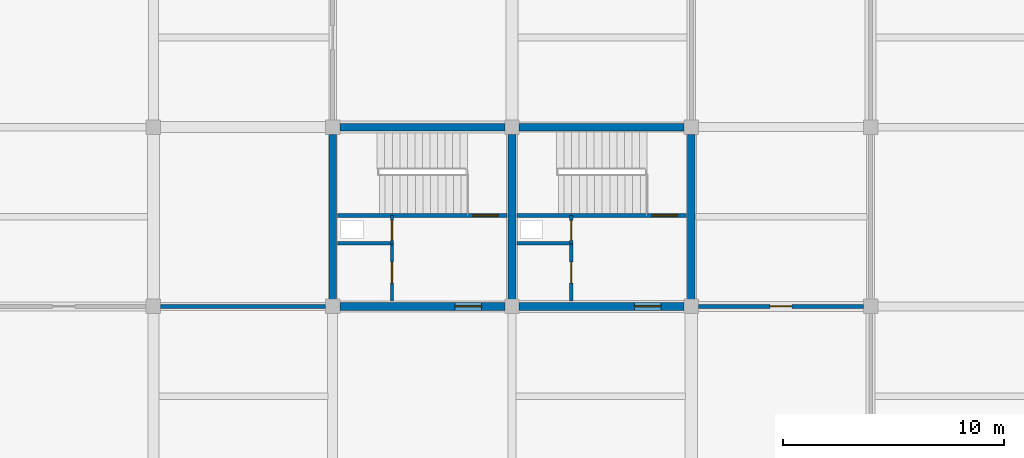
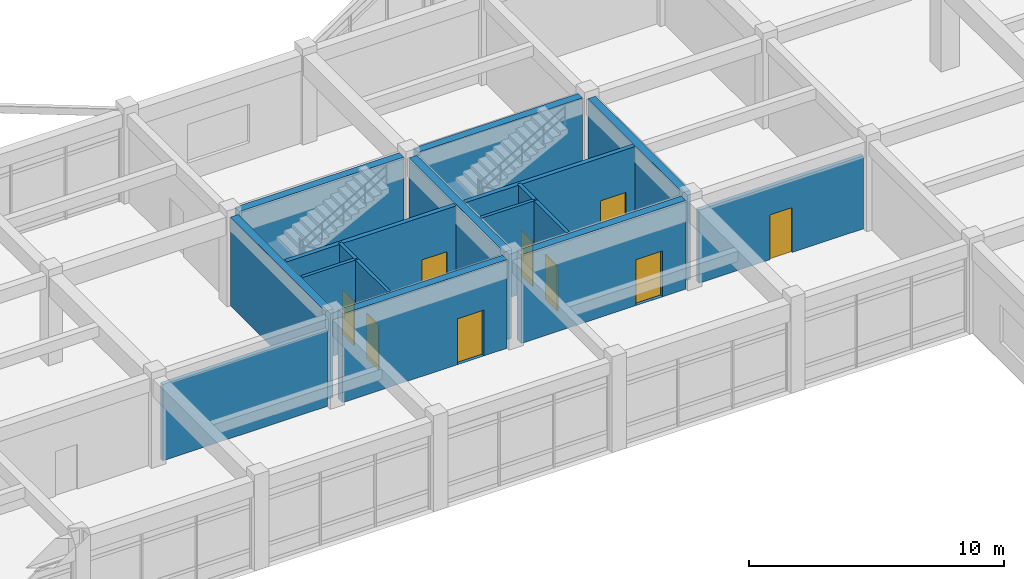
# One storey, part 68 of 93: 17 walls, 9 doors, 9 openings.
"""IFC4 building model written with IfcOpenShell, lengths in metres."""

from ifc_helpers import new_model, si_unit, direction, frame, frame_2d, origin, place, context, subcontext, project, spatial, rectangle, extrude, material, layer, layer_set, type_object, element, fill, save


model = new_model("IFC4")

# Units and contexts
model_context = context("Model", 3, precision=1e-05, world=origin(), true_north=direction((0.0, 1.0)))
body_context = subcontext(model_context, "Body", "Model", "MODEL_VIEW")
ifc_project = project(units=[si_unit("LENGTHUNIT", "METRE"), si_unit("AREAUNIT", "SQUARE_METRE"), si_unit("VOLUMEUNIT", "CUBIC_METRE"), si_unit("PLANEANGLEUNIT", "RADIAN"), si_unit("MASSUNIT", "GRAM", prefix="KILO")], contexts=[model_context])

# Site, building, storey
site_placement = place(None, origin())
site = spatial("IfcSite", under=ifc_project, at=site_placement, CompositionType="ELEMENT")
building_placement = place(site_placement, origin())
building = spatial("IfcBuilding", under=site, at=building_placement, Name="Vaudrelin Polytechnic", CompositionType="ELEMENT")
storey_placement = place(building_placement, frame((0.0, 0.0, 5.10009765625)))
storey = spatial("IfcBuildingStorey", under=building, at=storey_placement, Name="L01", CompositionType="ELEMENT", Elevation=5.10009765625)

# Wall
ifc_material_1 = material(Name="Acoustic double-stud gypsum & mineral-wool partition", Category="gypsum")
ifc_layer_1 = layer(ifc_material_1, 0.179931640625)
ifc_layer_set_1 = layer_set([ifc_layer_1], Name="Acoustic double-stud gypsum & mineral-wool partition")
wall_type_1 = type_object("IfcWallType", Name="WAL-PW-AC180", PredefinedType="PARTITIONING", material=ifc_layer_set_1)
wall_1_placement = place(storey_placement, frame((97.52294921875, 105.300048828125, 0.0), z_axis=(0.0, 0.0, 1.0), x_axis=(1.0, 0.0, 0.0)))
element("IfcWall", 1, at=wall_1_placement, inside=storey, type_object=wall_type_1, Name="Partition L01-019 S", PredefinedType="PARTITIONING", context=body_context, shape_type="SweptSolid", body=[
    extrude(rectangle(XDim=7.4541015625, YDim=0.179931640625, at=frame_2d((3.72705078125, 0.0))), origin(), (0.0, 0.0, 1.0), 3.65185546875),
])

# Wall, opening, door
wall_2_placement = place(storey_placement, frame((121.822998046875, 105.300048828125, 0.0), z_axis=(0.0, 0.0, 1.0), x_axis=(1.0, 0.0, 0.0)))
wall_2 = element("IfcWall", 2, at=wall_2_placement, inside=storey, type_object=wall_type_1, Name="Partition L01-020 S", PredefinedType="PARTITIONING", context=body_context, shape_type="SweptSolid", body=[
    extrude(rectangle(XDim=7.4541015625, YDim=0.179931640625, at=frame_2d((3.72705078125, 0.0))), origin(), (0.0, 0.0, 1.0), 3.501953125),
])
opening_1_placement = place(wall_2_placement, frame((3.22705078125, 0.0, 0.0)))
opening_1 = element("IfcOpeningElement", 3, at=opening_1_placement, cuts=wall_2, Name="Opening D-L01-456", PredefinedType="OPENING", context=body_context, shape_type="SweptSolid", body=[
    extrude(rectangle(XDim=1.0, YDim=2.14990234375, at=frame_2d((0.5, 1.074951171875))), frame((0.0, 0.10009765625, 0.0), z_axis=(0.0, -1.0, 0.0), x_axis=(1.0, 0.0, 0.0)), (0.0, 0.0, 1.0), 0.199951171875),
])
ifc_material_2 = material(Name="Solid-core birch veneer acoustic leaf", Category="wood")
door_type_1 = type_object("IfcDoorType", Name="DOR-ID-SEM1", OperationType="NOTDEFINED", PredefinedType="DOOR", material=ifc_material_2)
door_1_placement = place(opening_1_placement, origin())
door_1 = element("IfcDoor", 4, at=door_1_placement, inside=storey, type_object=door_type_1, Name="Seminar Room 104 door L01-020", OperationType="SINGLE_SWING_RIGHT", OverallHeight=2.14990234375, OverallWidth=1.0, PredefinedType="DOOR", context=body_context, shape_type="SweptSolid", body=[
    extrude(rectangle(XDim=1.0, YDim=2.14990234375, at=frame_2d((0.5, 1.074951171875))), frame((0.0, 0.02490234375, 0.0), z_axis=(0.0, -1.0, 0.0), x_axis=(1.0, 0.0, 0.0)), (0.0, 0.0, 1.0), 0.050048828125),
])
fill(opening_1, door_1)

ifc_material_3 = material(Name="Fire-rated steel-stud gypsum compartment wall", Category="steel")
ifc_layer_2 = layer(ifc_material_3, 0.14990234375)
ifc_layer_set_2 = layer_set([ifc_layer_2], Name="Fire-rated steel-stud gypsum compartment wall")
wall_type_2 = type_object("IfcWallType", Name="WAL-PW-FIRE60", PredefinedType="PARTITIONING", material=ifc_layer_set_2)
wall_3_placement = place(storey_placement, frame((116.080078125, 108.14990234375, 0.0), z_axis=(0.0, 0.0, 1.0), x_axis=(0.0, 1.0, 0.0)))
wall_3 = element("IfcWall", 5, at=wall_3_placement, inside=storey, type_object=wall_type_2, Name="Core C10 riser enclosure wall L01", PredefinedType="PARTITIONING", context=body_context, shape_type="SweptSolid", body=[
    extrude(rectangle(XDim=1.260009765625, YDim=0.14990234375, at=frame_2d((0.6298828125, 0.0))), origin(), (0.0, 0.0, 1.0), 4.251953125),
])
opening_2_placement = place(wall_3_placement, frame((0.139892578125, 0.0, 0.0)))
opening_2 = element("IfcOpeningElement", 6, at=opening_2_placement, cuts=wall_3, Name="Opening D-L01-214", PredefinedType="OPENING", context=body_context, shape_type="SweptSolid", body=[
    extrude(rectangle(XDim=0.89990234375, YDim=2.14990234375, at=frame_2d((0.449951171875, 1.074951171875))), frame((0.0, 0.0849609375, 0.0), z_axis=(0.0, -1.0, 0.0), x_axis=(1.0, 0.0, 0.0)), (0.0, 0.0, 1.0), 0.169921875),
])
ifc_material_4 = material(Name="Pressed galvanised steel acoustic leaf", Category="steel")
door_type_2 = type_object("IfcDoorType", Name="DOR-ID-RSR1", OperationType="NOTDEFINED", PredefinedType="DOOR", material=ifc_material_4)
door_2_placement = place(opening_2_placement, origin())
door_2 = element("IfcDoor", 7, at=door_2_placement, inside=storey, type_object=door_type_2, Name="Core C10 riser access door L01", OperationType="SINGLE_SWING_RIGHT", OverallHeight=2.14990234375, OverallWidth=0.89990234375, PredefinedType="DOOR", context=body_context, shape_type="SweptSolid", body=[
    extrude(rectangle(XDim=0.89990234375, YDim=2.14990234375, at=frame_2d((0.449951171875, 1.074951171875))), frame((0.0, 0.02490234375, 0.0), z_axis=(0.0, -1.0, 0.0), x_axis=(1.0, 0.0, 0.0)), (0.0, 0.0, 1.0), 0.050048828125),
])
fill(opening_2, door_2)

# Wall
wall_4_placement = place(storey_placement, frame((113.6201171875, 108.14990234375, 0.0), z_axis=(0.0, 0.0, 1.0), x_axis=(1.0, 0.0, 0.0)))
element("IfcWall", 8, at=wall_4_placement, inside=storey, type_object=wall_type_2, Name="Core C10 riser south fire wall L01", PredefinedType="PARTITIONING", context=body_context, shape_type="SweptSolid", body=[
    extrude(rectangle(XDim=2.52978515625, YDim=0.14990234375, at=frame_2d((1.264892578125, 0.0))), origin(), (0.0, 0.0, 1.0), 4.251953125),
])

# Wall, opening, door
wall_5_placement = place(storey_placement, frame((116.080078125, 105.550048828125, 0.0), z_axis=(0.0, 0.0, 1.0), x_axis=(0.0, 1.0, 0.0)))
wall_5 = element("IfcWall", 9, at=wall_5_placement, inside=storey, type_object=wall_type_2, Name="Core C10 custodial enclosure wall L01", PredefinedType="PARTITIONING", context=body_context, shape_type="SweptSolid", body=[
    extrude(rectangle(XDim=2.599853515625, YDim=0.14990234375, at=frame_2d((1.2998046875, 0.0))), origin(), (0.0, 0.0, 1.0), 4.251953125),
])
opening_3_placement = place(wall_5_placement, frame((0.800048828125, 0.0, 0.0)))
opening_3 = element("IfcOpeningElement", 10, at=opening_3_placement, cuts=wall_5, Name="Opening D-L01-215", PredefinedType="OPENING", context=body_context, shape_type="SweptSolid", body=[
    extrude(rectangle(XDim=0.949951171875, YDim=2.14990234375, at=frame_2d((0.47509765625, 1.074951171875))), frame((0.0, 0.0849609375, 0.0), z_axis=(0.0, -1.0, 0.0), x_axis=(1.0, 0.0, 0.0)), (0.0, 0.0, 1.0), 0.169921875),
])
door_type_3 = type_object("IfcDoorType", Name="DOR-ID-STR1", OperationType="NOTDEFINED", PredefinedType="DOOR", material=ifc_material_4)
door_3_placement = place(opening_3_placement, origin())
door_3 = element("IfcDoor", 11, at=door_3_placement, inside=storey, type_object=door_type_3, Name="Core C10 custodial door L01", OperationType="SINGLE_SWING_RIGHT", OverallHeight=2.14990234375, OverallWidth=0.949951171875, PredefinedType="DOOR", context=body_context, shape_type="SweptSolid", body=[
    extrude(rectangle(XDim=0.949951171875, YDim=2.14990234375, at=frame_2d((0.47509765625, 1.074951171875))), frame((0.0, 0.02490234375, 0.0), z_axis=(0.0, -1.0, 0.0), x_axis=(1.0, 0.0, 0.0)), (0.0, 0.0, 1.0), 0.050048828125),
])
fill(opening_3, door_3)

wall_6_placement = place(storey_placement, frame((107.97998046875, 108.14990234375, 0.0), z_axis=(0.0, 0.0, 1.0), x_axis=(0.0, 1.0, 0.0)))
wall_6 = element("IfcWall", 12, at=wall_6_placement, inside=storey, type_object=wall_type_2, Name="Core C11 riser enclosure wall L01", PredefinedType="PARTITIONING", context=body_context, shape_type="SweptSolid", body=[
    extrude(rectangle(XDim=1.260009765625, YDim=0.14990234375, at=frame_2d((0.6298828125, 0.0))), origin(), (0.0, 0.0, 1.0), 4.251953125),
])
opening_4_placement = place(wall_6_placement, frame((0.139892578125, 0.0, 0.0)))
opening_4 = element("IfcOpeningElement", 13, at=opening_4_placement, cuts=wall_6, Name="Opening D-L01-243", PredefinedType="OPENING", context=body_context, shape_type="SweptSolid", body=[
    extrude(rectangle(XDim=0.89990234375, YDim=2.14990234375, at=frame_2d((0.449951171875, 1.074951171875))), frame((0.0, 0.0849609375, 0.0), z_axis=(0.0, -1.0, 0.0), x_axis=(1.0, 0.0, 0.0)), (0.0, 0.0, 1.0), 0.169921875),
])
door_4_placement = place(opening_4_placement, origin())
door_4 = element("IfcDoor", 14, at=door_4_placement, inside=storey, type_object=door_type_2, Name="Core C11 riser access door L01", OperationType="SINGLE_SWING_RIGHT", OverallHeight=2.14990234375, OverallWidth=0.89990234375, PredefinedType="DOOR", context=body_context, shape_type="SweptSolid", body=[
    extrude(rectangle(XDim=0.89990234375, YDim=2.14990234375, at=frame_2d((0.449951171875, 1.074951171875))), frame((0.0, 0.02490234375, 0.0), z_axis=(0.0, -1.0, 0.0), x_axis=(1.0, 0.0, 0.0)), (0.0, 0.0, 1.0), 0.050048828125),
])
fill(opening_4, door_4)

# Wall
wall_7_placement = place(storey_placement, frame((105.52001953125, 108.14990234375, 0.0), z_axis=(0.0, 0.0, 1.0), x_axis=(1.0, 0.0, 0.0)))
element("IfcWall", 15, at=wall_7_placement, inside=storey, type_object=wall_type_2, Name="Core C11 riser south fire wall L01", PredefinedType="PARTITIONING", context=body_context, shape_type="SweptSolid", body=[
    extrude(rectangle(XDim=2.530029296875, YDim=0.14990234375, at=frame_2d((1.26513671875, 0.0))), origin(), (0.0, 0.0, 1.0), 4.251953125),
])

# Wall, opening, door
wall_8_placement = place(storey_placement, frame((107.97998046875, 105.550048828125, 0.0), z_axis=(0.0, 0.0, 1.0), x_axis=(0.0, 1.0, 0.0)))
wall_8 = element("IfcWall", 16, at=wall_8_placement, inside=storey, type_object=wall_type_2, Name="Core C11 custodial enclosure wall L01", PredefinedType="PARTITIONING", context=body_context, shape_type="SweptSolid", body=[
    extrude(rectangle(XDim=2.599853515625, YDim=0.14990234375, at=frame_2d((1.2998046875, 0.0))), origin(), (0.0, 0.0, 1.0), 4.251953125),
])
opening_5_placement = place(wall_8_placement, frame((0.800048828125, 0.0, 0.0)))
opening_5 = element("IfcOpeningElement", 17, at=opening_5_placement, cuts=wall_8, Name="Opening D-L01-244", PredefinedType="OPENING", context=body_context, shape_type="SweptSolid", body=[
    extrude(rectangle(XDim=0.949951171875, YDim=2.14990234375, at=frame_2d((0.47509765625, 1.074951171875))), frame((0.0, 0.0849609375, 0.0), z_axis=(0.0, -1.0, 0.0), x_axis=(1.0, 0.0, 0.0)), (0.0, 0.0, 1.0), 0.169921875),
])
door_5_placement = place(opening_5_placement, origin())
door_5 = element("IfcDoor", 18, at=door_5_placement, inside=storey, type_object=door_type_3, Name="Core C11 custodial door L01", OperationType="SINGLE_SWING_RIGHT", OverallHeight=2.14990234375, OverallWidth=0.949951171875, PredefinedType="DOOR", context=body_context, shape_type="SweptSolid", body=[
    extrude(rectangle(XDim=0.949951171875, YDim=2.14990234375, at=frame_2d((0.47509765625, 1.074951171875))), frame((0.0, 0.02490234375, 0.0), z_axis=(0.0, -1.0, 0.0), x_axis=(1.0, 0.0, 0.0)), (0.0, 0.0, 1.0), 0.050048828125),
])
fill(opening_5, door_5)

ifc_material_5 = material(Name="Concrete 40 MPa", Category="concrete")
ifc_layer_3 = layer(ifc_material_5, 0.199951171875)
ifc_layer_set_3 = layer_set([ifc_layer_3], Name="Concrete 40 MPa")
wall_type_3 = type_object("IfcWallType", Name="WAL-SW-CORE200", PredefinedType="SHEAR", material=ifc_layer_set_3)
wall_9_placement = place(storey_placement, frame((113.6201171875, 109.409912109375, 0.0), z_axis=(0.0, 0.0, 1.0), x_axis=(1.0, 0.0, 0.0)))
wall_9 = element("IfcWall", 19, at=wall_9_placement, inside=storey, type_object=wall_type_3, Name="Core C10 stair enclosure wall L01", PredefinedType="SHEAR", context=body_context, shape_type="SweptSolid", body=[
    extrude(rectangle(XDim=7.659912109375, YDim=0.199951171875, at=frame_2d((3.830078125, 0.0))), origin(), (0.0, 0.0, 1.0), 4.251953125),
])
opening_6_placement = place(wall_9_placement, frame((6.110107421875, 0.0, 0.0)))
opening_6 = element("IfcOpeningElement", 20, at=opening_6_placement, cuts=wall_9, Name="Opening D-L01-213", PredefinedType="OPENING", context=body_context, shape_type="SweptSolid", body=[
    extrude(rectangle(XDim=1.14990234375, YDim=2.199951171875, at=frame_2d((0.574951171875, 1.10009765625))), frame((0.0, 0.10986328125, 0.0), z_axis=(0.0, -1.0, 0.0), x_axis=(1.0, 0.0, 0.0)), (0.0, 0.0, 1.0), 0.219970703125),
])
door_type_4 = type_object("IfcDoorType", Name="DOR-ID-ST1", OperationType="NOTDEFINED", PredefinedType="DOOR", material=ifc_material_4)
door_6_placement = place(opening_6_placement, origin())
door_6 = element("IfcDoor", 21, at=door_6_placement, inside=storey, type_object=door_type_4, Name="Core C10 exit stair door L01", OperationType="SINGLE_SWING_LEFT", OverallHeight=2.199951171875, OverallWidth=1.14990234375, PredefinedType="DOOR", context=body_context, shape_type="SweptSolid", body=[
    extrude(rectangle(XDim=1.14990234375, YDim=2.199951171875, at=frame_2d((0.574951171875, 1.10009765625))), frame((0.0, 0.02490234375, 0.0), z_axis=(0.0, -1.0, 0.0), x_axis=(1.0, 0.0, 0.0)), (0.0, 0.0, 1.0), 0.050048828125),
])
fill(opening_6, door_6)

wall_10_placement = place(storey_placement, frame((105.52001953125, 109.409912109375, 0.0), z_axis=(0.0, 0.0, 1.0), x_axis=(1.0, 0.0, 0.0)))
wall_10 = element("IfcWall", 22, at=wall_10_placement, inside=storey, type_object=wall_type_3, Name="Core C11 stair enclosure wall L01", PredefinedType="SHEAR", context=body_context, shape_type="SweptSolid", body=[
    extrude(rectangle(XDim=7.659912109375, YDim=0.199951171875, at=frame_2d((3.830078125, 0.0))), origin(), (0.0, 0.0, 1.0), 4.251953125),
])
opening_7_placement = place(wall_10_placement, frame((6.110107421875, 0.0, 0.0)))
opening_7 = element("IfcOpeningElement", 23, at=opening_7_placement, cuts=wall_10, Name="Opening D-L01-242", PredefinedType="OPENING", context=body_context, shape_type="SweptSolid", body=[
    extrude(rectangle(XDim=1.14990234375, YDim=2.199951171875, at=frame_2d((0.574951171875, 1.10009765625))), frame((0.0, 0.10986328125, 0.0), z_axis=(0.0, -1.0, 0.0), x_axis=(1.0, 0.0, 0.0)), (0.0, 0.0, 1.0), 0.219970703125),
])
door_7_placement = place(opening_7_placement, origin())
door_7 = element("IfcDoor", 24, at=door_7_placement, inside=storey, type_object=door_type_4, Name="Core C11 exit stair door L01", OperationType="SINGLE_SWING_LEFT", OverallHeight=2.199951171875, OverallWidth=1.14990234375, PredefinedType="DOOR", context=body_context, shape_type="SweptSolid", body=[
    extrude(rectangle(XDim=1.14990234375, YDim=2.199951171875, at=frame_2d((0.574951171875, 1.10009765625))), frame((0.0, 0.02490234375, 0.0), z_axis=(0.0, -1.0, 0.0), x_axis=(1.0, 0.0, 0.0)), (0.0, 0.0, 1.0), 0.050048828125),
])
fill(opening_7, door_7)

# Walls
ifc_material_6 = material(Name="Concrete 50 MPa", Category="concrete")
ifc_layer_4 = layer(ifc_material_6, 0.35009765625)
ifc_layer_set_4 = layer_set([ifc_layer_4], Name="Concrete 50 MPa")
wall_type_4 = type_object("IfcWallType", Name="WAL-SW-CORE350", PredefinedType="SHEAR", material=ifc_layer_set_4)
wall_11_placement = place(storey_placement, frame((113.722900390625, 113.39990234375, 0.0), z_axis=(0.0, 0.0, 1.0), x_axis=(1.0, 0.0, 0.0)))
element("IfcWall", 25, at=wall_11_placement, inside=storey, type_object=wall_type_4, Name="Core C10 N shear wall L01", PredefinedType="SHEAR", context=body_context, shape_type="SweptSolid", body=[
    extrude(rectangle(XDim=7.4541015625, YDim=0.35009765625, at=frame_2d((3.72705078125, 0.0))), origin(), (0.0, 0.0, 1.0), 4.251953125),
])
for number, where, z_axis, x_axis, name in (
    (26, (113.39990234375, 105.623046875, 0.0), (0.0, 0.0, 1.0), (0.0, 1.0, 0.0), "Core C10 W shear wall L01"),
    (27, (121.5, 105.623046875, 0.0), (0.0, 0.0, 1.0), (0.0, 1.0, 0.0), "Core C10 E shear wall L01"),
):
    element("IfcWall", number, at=place(storey_placement, frame(where, z_axis=z_axis, x_axis=x_axis)), inside=storey, type_object=wall_type_4, Name=name, PredefinedType="SHEAR", context=body_context, shape_type="SweptSolid", body=[
        extrude(rectangle(XDim=7.453857421875, YDim=0.35009765625, at=frame_2d((3.72705078125, 0.0))), origin(), (0.0, 0.0, 1.0), 4.251953125),
    ])

# Wall, opening, door
wall_12_placement = place(storey_placement, frame((113.722900390625, 105.300048828125, 0.0), z_axis=(0.0, 0.0, 1.0), x_axis=(1.0, 0.0, 0.0)))
wall_12 = element("IfcWall", 28, at=wall_12_placement, inside=storey, type_object=wall_type_4, Name="Core C10 S shear wall L01", PredefinedType="SHEAR", context=body_context, shape_type="SweptSolid", body=[
    extrude(rectangle(XDim=7.4541015625, YDim=0.35009765625, at=frame_2d((3.72705078125, 0.0))), origin(), (0.0, 0.0, 1.0), 4.251953125),
])
opening_8_placement = place(wall_12_placement, frame((5.2041015625, 0.0, 0.0)))
opening_8 = element("IfcOpeningElement", 29, at=opening_8_placement, cuts=wall_12, Name="Opening D-L01-212", PredefinedType="OPENING", context=body_context, shape_type="SweptSolid", body=[
    extrude(rectangle(XDim=1.199951171875, YDim=2.199951171875, at=frame_2d((0.60009765625, 1.10009765625))), frame((0.0, 0.18505859375, 0.0), z_axis=(0.0, -1.0, 0.0), x_axis=(1.0, 0.0, 0.0)), (0.0, 0.0, 1.0), 0.3701171875),
])
door_type_5 = type_object("IfcDoorType", Name="DOR-ID-LB1", OperationType="NOTDEFINED", PredefinedType="DOOR", material=ifc_material_4)
door_8_placement = place(opening_8_placement, origin())
door_8 = element("IfcDoor", 30, at=door_8_placement, inside=storey, type_object=door_type_5, Name="Core C10 lobby fire door L01", OperationType="SINGLE_SWING_LEFT", OverallHeight=2.199951171875, OverallWidth=1.199951171875, PredefinedType="DOOR", context=body_context, shape_type="SweptSolid", body=[
    extrude(rectangle(XDim=1.199951171875, YDim=2.199951171875, at=frame_2d((0.60009765625, 1.10009765625))), frame((0.0, 0.02490234375, 0.0), z_axis=(0.0, -1.0, 0.0), x_axis=(1.0, 0.0, 0.0)), (0.0, 0.0, 1.0), 0.050048828125),
])
fill(opening_8, door_8)

# Walls
for number, where, z_axis, x_axis, name in (
    (31, (105.623046875, 113.39990234375, 0.0), (0.0, 0.0, 1.0), (1.0, 0.0, 0.0), "Core C11 N shear wall L01"),
    (32, (105.300048828125, 105.623046875, 0.0), (0.0, 0.0, 1.0), (0.0, 1.0, 0.0), "Core C11 W shear wall L01"),
):
    element("IfcWall", number, at=place(storey_placement, frame(where, z_axis=z_axis, x_axis=x_axis)), inside=storey, type_object=wall_type_4, Name=name, PredefinedType="SHEAR", context=body_context, shape_type="SweptSolid", body=[
        extrude(rectangle(XDim=7.453857421875, YDim=0.35009765625, at=frame_2d((3.72705078125, 0.0))), origin(), (0.0, 0.0, 1.0), 4.251953125),
    ])

# Wall, opening, door
wall_13_placement = place(storey_placement, frame((105.623046875, 105.300048828125, 0.0), z_axis=(0.0, 0.0, 1.0), x_axis=(1.0, 0.0, 0.0)))
wall_13 = element("IfcWall", 33, at=wall_13_placement, inside=storey, type_object=wall_type_4, Name="Core C11 S shear wall L01", PredefinedType="SHEAR", context=body_context, shape_type="SweptSolid", body=[
    extrude(rectangle(XDim=7.453857421875, YDim=0.35009765625, at=frame_2d((3.72705078125, 0.0))), origin(), (0.0, 0.0, 1.0), 4.251953125),
])
opening_9_placement = place(wall_13_placement, frame((5.2041015625, 0.0, 0.0)))
opening_9 = element("IfcOpeningElement", 34, at=opening_9_placement, cuts=wall_13, Name="Opening D-L01-241", PredefinedType="OPENING", context=body_context, shape_type="SweptSolid", body=[
    extrude(rectangle(XDim=1.199951171875, YDim=2.199951171875, at=frame_2d((0.60009765625, 1.10009765625))), frame((0.0, 0.18505859375, 0.0), z_axis=(0.0, -1.0, 0.0), x_axis=(1.0, 0.0, 0.0)), (0.0, 0.0, 1.0), 0.3701171875),
])
door_9_placement = place(opening_9_placement, origin())
door_9 = element("IfcDoor", 35, at=door_9_placement, inside=storey, type_object=door_type_5, Name="Core C11 lobby fire door L01", OperationType="SINGLE_SWING_RIGHT", OverallHeight=2.199951171875, OverallWidth=1.199951171875, PredefinedType="DOOR", context=body_context, shape_type="SweptSolid", body=[
    extrude(rectangle(XDim=1.199951171875, YDim=2.199951171875, at=frame_2d((0.60009765625, 1.10009765625))), frame((0.0, 0.02490234375, 0.0), z_axis=(0.0, -1.0, 0.0), x_axis=(1.0, 0.0, 0.0)), (0.0, 0.0, 1.0), 0.050048828125),
])
fill(opening_9, door_9)

save(model, "model.ifc")
